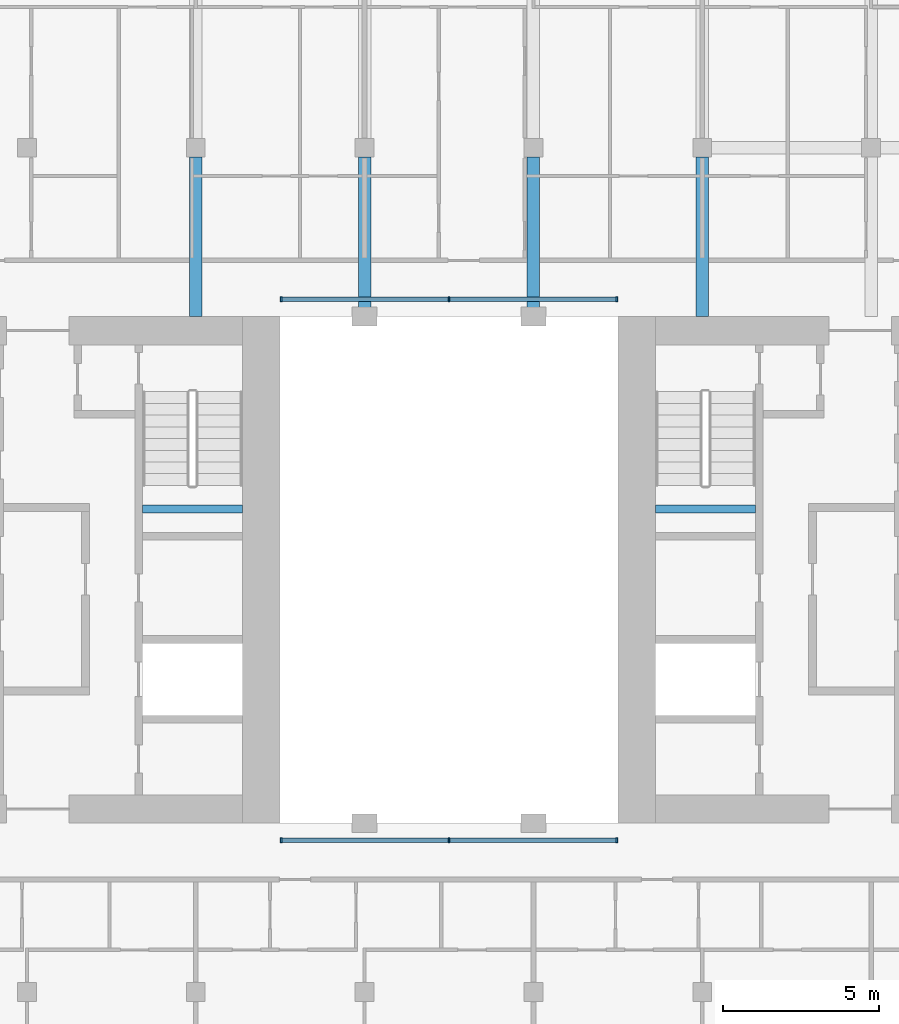
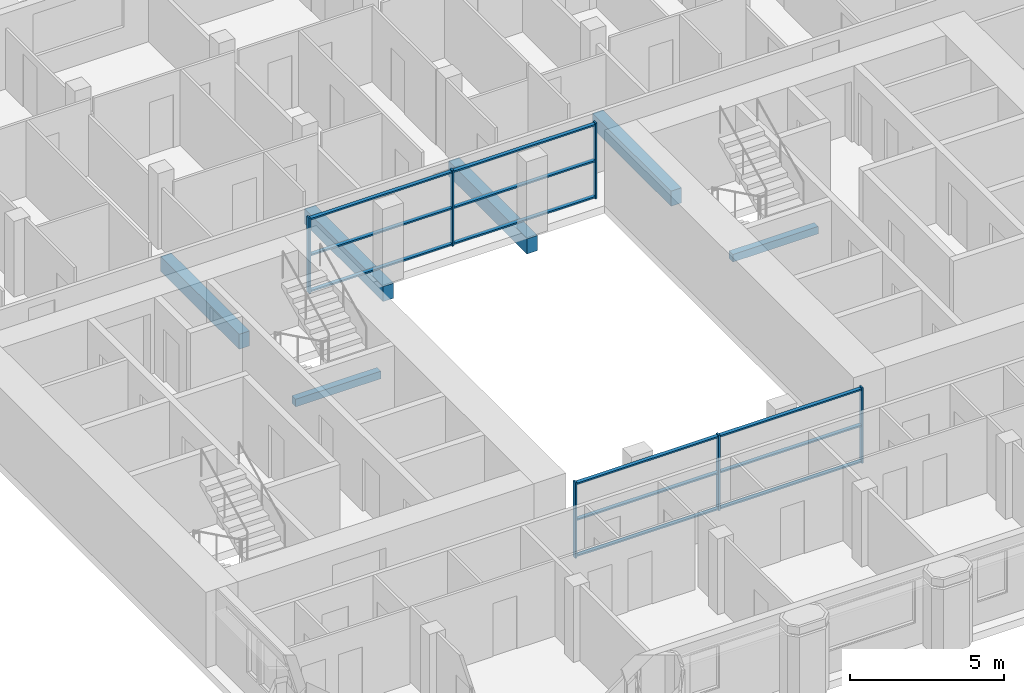
# One storey, part 2 of 13: 18 members, 6 beams, 2 elements without a shape of their own.
"""IFC4 building model written with IfcOpenShell, lengths in metres."""

from ifc_helpers import new_model, si_unit, direction, frame, origin, origin_2d, place, context, subcontext, project, spatial, rectangle, extrude, material, material_profile, profile_set, type_object, element, aggregate, save


model = new_model("IFC4")

# Units and contexts
model_context = context("Model", 3, precision=1e-05, world=origin(), true_north=direction((0.0, 1.0)))
body_context = subcontext(model_context, "Body", "Model", "MODEL_VIEW")
ifc_project = project(units=[si_unit("LENGTHUNIT", "METRE"), si_unit("AREAUNIT", "SQUARE_METRE"), si_unit("VOLUMEUNIT", "CUBIC_METRE"), si_unit("PLANEANGLEUNIT", "RADIAN"), si_unit("MASSUNIT", "GRAM", prefix="KILO")], contexts=[model_context])

# Site, building, storey
site_placement = place(None, origin())
site = spatial("IfcSite", under=ifc_project, at=site_placement, CompositionType="ELEMENT")
building_placement = place(site_placement, origin())
building = spatial("IfcBuilding", under=site, at=building_placement, Name="Tabaq Tower and Sports Hall", CompositionType="ELEMENT")
storey_placement = place(building_placement, frame((0.0, 0.0, 301.60009765625)))
storey = spatial("IfcBuildingStorey", under=building, at=storey_placement, Name="L75", CompositionType="ELEMENT", Elevation=301.60009765625)

# Curtain wall, members
ifc_material_1 = material(Name="Aluminium alloy 6063-T6 framed glazing", Category="aluminium")
curtain_wall_type = type_object("IfcCurtainWallType", Name="CW1 curtain wall", PredefinedType="USERDEFINED", material=ifc_material_1)
curtain_wall_1_placement = place(storey_placement, origin())
curtain_wall_1 = element("IfcCurtainWall", 1, at=curtain_wall_1_placement, inside=storey, type_object=curtain_wall_type, Name="Atrium glazing L75 S", ObjectType="ATRIUM ENCLOSURE", PredefinedType="USERDEFINED")
ifc_material_2 = material(Name="Aluminium alloy 6063-T6", Category="aluminium")
ifc_material_profile_1 = material_profile(ifc_material_2, rectangle(XDim=0.159912109375, YDim=0.06005859375, at=origin_2d()), Name="MULLION 160x60")
ifc_profile_set_1 = profile_set([ifc_material_profile_1], Name="Aluminium alloy 6063-T6")
member_type_1 = type_object("IfcMemberType", Name="CW1 mullion 160x60", PredefinedType="MULLION", material=ifc_profile_set_1)
member_1_placement = place(storey_placement, frame((18.929931640625, 15.64990234375, 0.0), z_axis=(0.0, 0.0, 1.0), x_axis=(0.0, 1.0, 0.0)))
member_1 = element("IfcMember", 2, at=member_1_placement, type_object=member_type_1, Name="CW1 mullion 1", PredefinedType="MULLION", context=body_context, shape_type="SweptSolid", body=[
    extrude(rectangle(XDim=0.159912109375, YDim=0.06005859375, at=origin_2d()), origin(), (0.0, 0.0, 1.0), 3.0),
])
member_2_placement = place(storey_placement, frame((24.300048828125, 15.64990234375, 0.0), z_axis=(0.0, 0.0, 1.0), x_axis=(0.0, 1.0, 0.0)))
member_2 = element("IfcMember", 3, at=member_2_placement, type_object=member_type_1, Name="CW1 mullion 2", PredefinedType="MULLION", context=body_context, shape_type="SweptSolid", body=[
    extrude(rectangle(XDim=0.159912109375, YDim=0.06005859375, at=origin_2d()), origin(), (0.0, 0.0, 1.0), 3.0),
])
member_3_placement = place(storey_placement, frame((29.669921875, 15.64990234375, 0.0), z_axis=(0.0, 0.0, 1.0), x_axis=(0.0, 1.0, 0.0)))
member_3 = element("IfcMember", 4, at=member_3_placement, type_object=member_type_1, Name="CW1 mullion 3", PredefinedType="MULLION", context=body_context, shape_type="SweptSolid", body=[
    extrude(rectangle(XDim=0.159912109375, YDim=0.06005859375, at=origin_2d()), origin(), (0.0, 0.0, 1.0), 3.0),
])

curtain_wall_2_placement = place(storey_placement, origin())
curtain_wall_2 = element("IfcCurtainWall", 5, at=curtain_wall_2_placement, inside=storey, type_object=curtain_wall_type, Name="Atrium glazing L75 N", ObjectType="ATRIUM ENCLOSURE", PredefinedType="USERDEFINED")
member_4_placement = place(storey_placement, frame((18.929931640625, 32.949951171875, 0.0), z_axis=(0.0, 0.0, 1.0), x_axis=(0.0, 1.0, 0.0)))
member_4 = element("IfcMember", 6, at=member_4_placement, type_object=member_type_1, Name="CW1 mullion 1", PredefinedType="MULLION", context=body_context, shape_type="SweptSolid", body=[
    extrude(rectangle(XDim=0.159912109375, YDim=0.06005859375, at=origin_2d()), origin(), (0.0, 0.0, 1.0), 3.0),
])
member_5_placement = place(storey_placement, frame((24.300048828125, 32.949951171875, 0.0), z_axis=(0.0, 0.0, 1.0), x_axis=(0.0, 1.0, 0.0)))
member_5 = element("IfcMember", 7, at=member_5_placement, type_object=member_type_1, Name="CW1 mullion 2", PredefinedType="MULLION", context=body_context, shape_type="SweptSolid", body=[
    extrude(rectangle(XDim=0.159912109375, YDim=0.06005859375, at=origin_2d()), origin(), (0.0, 0.0, 1.0), 3.0),
])
member_6_placement = place(storey_placement, frame((29.669921875, 32.949951171875, 0.0), z_axis=(0.0, 0.0, 1.0), x_axis=(0.0, 1.0, 0.0)))
member_6 = element("IfcMember", 8, at=member_6_placement, type_object=member_type_1, Name="CW1 mullion 3", PredefinedType="MULLION", context=body_context, shape_type="SweptSolid", body=[
    extrude(rectangle(XDim=0.159912109375, YDim=0.06005859375, at=origin_2d()), origin(), (0.0, 0.0, 1.0), 3.0),
])

# Member
ifc_material_3 = material(Name="Aluminium alloy 6063-T6", Category="aluminium")
ifc_material_profile_2 = material_profile(ifc_material_3, rectangle(XDim=0.139892578125, YDim=0.06005859375, at=origin_2d()), Name="TRANSOM 140x60")
ifc_profile_set_2 = profile_set([ifc_material_profile_2], Name="Aluminium alloy 6063-T6")
member_type_2 = type_object("IfcMemberType", Name="CW1 transom 140x60", PredefinedType="USERDEFINED", material=ifc_profile_set_2)
member_7_placement = place(storey_placement, frame((18.9599609375, 15.64990234375, 0.06982421875), z_axis=(1.0, 0.0, 0.0), x_axis=(0.0, 1.0, 0.0)))
member_7 = element("IfcMember", 9, at=member_7_placement, type_object=member_type_2, Name="CW1 transom 1.1", ObjectType="TRANSOM", PredefinedType="USERDEFINED", context=body_context, shape_type="SweptSolid", body=[
    extrude(rectangle(XDim=0.139892578125, YDim=0.06005859375, at=origin_2d()), origin(), (0.0, 0.0, 1.0), 5.31005859375),
])

member_8_placement = place(storey_placement, frame((18.9599609375, 15.64990234375, 1.5), z_axis=(1.0, 0.0, 0.0), x_axis=(0.0, 1.0, 0.0)))
member_8 = element("IfcMember", 10, at=member_8_placement, type_object=member_type_2, Name="CW1 transom 1.2", ObjectType="TRANSOM", PredefinedType="USERDEFINED", context=body_context, shape_type="SweptSolid", body=[
    extrude(rectangle(XDim=0.139892578125, YDim=0.06005859375, at=origin_2d()), origin(), (0.0, 0.0, 1.0), 5.31005859375),
])

member_9_placement = place(storey_placement, frame((18.9599609375, 15.64990234375, 2.929931640625), z_axis=(1.0, 0.0, 0.0), x_axis=(0.0, 1.0, 0.0)))
member_9 = element("IfcMember", 11, at=member_9_placement, type_object=member_type_2, Name="CW1 transom 1.3", ObjectType="TRANSOM", PredefinedType="USERDEFINED", context=body_context, shape_type="SweptSolid", body=[
    extrude(rectangle(XDim=0.139892578125, YDim=0.06005859375, at=origin_2d()), origin(), (0.0, 0.0, 1.0), 5.31005859375),
])

member_10_placement = place(storey_placement, frame((24.330078125, 15.64990234375, 0.06982421875), z_axis=(1.0, 0.0, 0.0), x_axis=(0.0, 1.0, 0.0)))
member_10 = element("IfcMember", 12, at=member_10_placement, type_object=member_type_2, Name="CW1 transom 2.1", ObjectType="TRANSOM", PredefinedType="USERDEFINED", context=body_context, shape_type="SweptSolid", body=[
    extrude(rectangle(XDim=0.139892578125, YDim=0.06005859375, at=origin_2d()), origin(), (0.0, 0.0, 1.0), 5.309814453125),
])

member_11_placement = place(storey_placement, frame((24.330078125, 15.64990234375, 1.5), z_axis=(1.0, 0.0, 0.0), x_axis=(0.0, 1.0, 0.0)))
member_11 = element("IfcMember", 13, at=member_11_placement, type_object=member_type_2, Name="CW1 transom 2.2", ObjectType="TRANSOM", PredefinedType="USERDEFINED", context=body_context, shape_type="SweptSolid", body=[
    extrude(rectangle(XDim=0.139892578125, YDim=0.06005859375, at=origin_2d()), origin(), (0.0, 0.0, 1.0), 5.309814453125),
])

member_12_placement = place(storey_placement, frame((24.330078125, 15.64990234375, 2.929931640625), z_axis=(1.0, 0.0, 0.0), x_axis=(0.0, 1.0, 0.0)))
member_12 = element("IfcMember", 14, at=member_12_placement, type_object=member_type_2, Name="CW1 transom 2.3", ObjectType="TRANSOM", PredefinedType="USERDEFINED", context=body_context, shape_type="SweptSolid", body=[
    extrude(rectangle(XDim=0.139892578125, YDim=0.06005859375, at=origin_2d()), origin(), (0.0, 0.0, 1.0), 5.309814453125),
])

aggregate(curtain_wall_1, [member_1, member_2, member_3, member_7, member_8, member_9, member_10, member_11, member_12])

member_13_placement = place(storey_placement, frame((18.9599609375, 32.949951171875, 0.06982421875), z_axis=(1.0, 0.0, 0.0), x_axis=(0.0, 1.0, 0.0)))
member_13 = element("IfcMember", 15, at=member_13_placement, type_object=member_type_2, Name="CW1 transom 1.1", ObjectType="TRANSOM", PredefinedType="USERDEFINED", context=body_context, shape_type="SweptSolid", body=[
    extrude(rectangle(XDim=0.139892578125, YDim=0.06005859375, at=origin_2d()), origin(), (0.0, 0.0, 1.0), 5.31005859375),
])

member_14_placement = place(storey_placement, frame((18.9599609375, 32.949951171875, 1.5), z_axis=(1.0, 0.0, 0.0), x_axis=(0.0, 1.0, 0.0)))
member_14 = element("IfcMember", 16, at=member_14_placement, type_object=member_type_2, Name="CW1 transom 1.2", ObjectType="TRANSOM", PredefinedType="USERDEFINED", context=body_context, shape_type="SweptSolid", body=[
    extrude(rectangle(XDim=0.139892578125, YDim=0.06005859375, at=origin_2d()), origin(), (0.0, 0.0, 1.0), 5.31005859375),
])

member_15_placement = place(storey_placement, frame((18.9599609375, 32.949951171875, 2.929931640625), z_axis=(1.0, 0.0, 0.0), x_axis=(0.0, 1.0, 0.0)))
member_15 = element("IfcMember", 17, at=member_15_placement, type_object=member_type_2, Name="CW1 transom 1.3", ObjectType="TRANSOM", PredefinedType="USERDEFINED", context=body_context, shape_type="SweptSolid", body=[
    extrude(rectangle(XDim=0.139892578125, YDim=0.06005859375, at=origin_2d()), origin(), (0.0, 0.0, 1.0), 5.31005859375),
])

member_16_placement = place(storey_placement, frame((24.330078125, 32.949951171875, 0.06982421875), z_axis=(1.0, 0.0, 0.0), x_axis=(0.0, 1.0, 0.0)))
member_16 = element("IfcMember", 18, at=member_16_placement, type_object=member_type_2, Name="CW1 transom 2.1", ObjectType="TRANSOM", PredefinedType="USERDEFINED", context=body_context, shape_type="SweptSolid", body=[
    extrude(rectangle(XDim=0.139892578125, YDim=0.06005859375, at=origin_2d()), origin(), (0.0, 0.0, 1.0), 5.309814453125),
])

member_17_placement = place(storey_placement, frame((24.330078125, 32.949951171875, 1.5), z_axis=(1.0, 0.0, 0.0), x_axis=(0.0, 1.0, 0.0)))
member_17 = element("IfcMember", 19, at=member_17_placement, type_object=member_type_2, Name="CW1 transom 2.2", ObjectType="TRANSOM", PredefinedType="USERDEFINED", context=body_context, shape_type="SweptSolid", body=[
    extrude(rectangle(XDim=0.139892578125, YDim=0.06005859375, at=origin_2d()), origin(), (0.0, 0.0, 1.0), 5.309814453125),
])

member_18_placement = place(storey_placement, frame((24.330078125, 32.949951171875, 2.929931640625), z_axis=(1.0, 0.0, 0.0), x_axis=(0.0, 1.0, 0.0)))
member_18 = element("IfcMember", 20, at=member_18_placement, type_object=member_type_2, Name="CW1 transom 2.3", ObjectType="TRANSOM", PredefinedType="USERDEFINED", context=body_context, shape_type="SweptSolid", body=[
    extrude(rectangle(XDim=0.139892578125, YDim=0.06005859375, at=origin_2d()), origin(), (0.0, 0.0, 1.0), 5.309814453125),
])

aggregate(curtain_wall_2, [member_4, member_5, member_6, member_13, member_14, member_15, member_16, member_17, member_18])

# Beams
ifc_material_4 = material(Name="Concrete C40/50", Category="concrete")
ifc_material_profile_3 = material_profile(ifc_material_4, rectangle(XDim=0.39990234375, YDim=0.60009765625, at=origin_2d()), Name="CB 400x600")
ifc_profile_set_3 = profile_set([ifc_material_profile_3], Name="Concrete C40/50")
beam_type_1 = type_object("IfcBeamType", Name="PT CANTILEVER BEAM CB 400x600 C40/50", PredefinedType="BEAM", material=ifc_profile_set_3)
for number, where, z_axis, x_axis, name in (
    (21, (16.199951171875, 37.5, -0.60009765625), (0.0, -1.0, 0.0), (1.0, 0.0, 0.0), "Cantilever Beam L75 N3 span 3"),
    (22, (21.60009765625, 37.5, -0.60009765625), (0.0, -1.0, 0.0), (1.0, 0.0, 0.0), "Cantilever Beam L75 N4 span 3"),
    (23, (27.0, 37.5, -0.60009765625), (0.0, -1.0, 0.0), (1.0, 0.0, 0.0), "Cantilever Beam L75 N5 span 3"),
    (24, (32.39990234375, 37.5, -0.60009765625), (0.0, -1.0, 0.0), (1.0, 0.0, 0.0), "Cantilever Beam L75 N6 span 3"),
):
    element("IfcBeam", number, at=place(storey_placement, frame(where, z_axis=z_axis, x_axis=x_axis)), inside=storey, type_object=beam_type_1, Name=name, PredefinedType="BEAM", context=body_context, shape_type="SweptSolid", body=[
        extrude(rectangle(XDim=0.39990234375, YDim=0.60009765625, at=origin_2d()), origin(), (0.0, 0.0, 1.0), 5.10009765625),
    ])
ifc_material_5 = material(Name="Concrete C40/50", Category="concrete")
ifc_material_profile_4 = material_profile(ifc_material_5, rectangle(XDim=0.25, YDim=0.300048828125, at=origin_2d()), Name="RC 250x300")
ifc_profile_set_4 = profile_set([ifc_material_profile_4], Name="Concrete C40/50")
beam_type_2 = type_object("IfcBeamType", Name="Stair landing beam 250x300", PredefinedType="BEAM", material=ifc_profile_set_4)
beam_1_placement = place(storey_placement, frame((14.5, 26.25, 1.2998046875), z_axis=(1.0, 0.0, 0.0), x_axis=(0.0, 1.0, 0.0)))
element("IfcBeam", 25, at=beam_1_placement, inside=storey, type_object=beam_type_2, Name="L75 ST2 landing beam 1", PredefinedType="BEAM", context=body_context, shape_type="SweptSolid", body=[
    extrude(rectangle(XDim=0.25, YDim=0.300048828125, at=origin_2d()), origin(), (0.0, 0.0, 1.0), 3.199951171875),
])
beam_2_placement = place(storey_placement, frame((30.89990234375, 26.25, 1.2998046875), z_axis=(1.0, 0.0, 0.0), x_axis=(0.0, 1.0, 0.0)))
element("IfcBeam", 26, at=beam_2_placement, inside=storey, type_object=beam_type_2, Name="L75 ST4 landing beam 1", PredefinedType="BEAM", context=body_context, shape_type="SweptSolid", body=[
    extrude(rectangle(XDim=0.25, YDim=0.300048828125, at=origin_2d()), origin(), (0.0, 0.0, 1.0), 3.2001953125),
])

save(model, "model.ifc")
